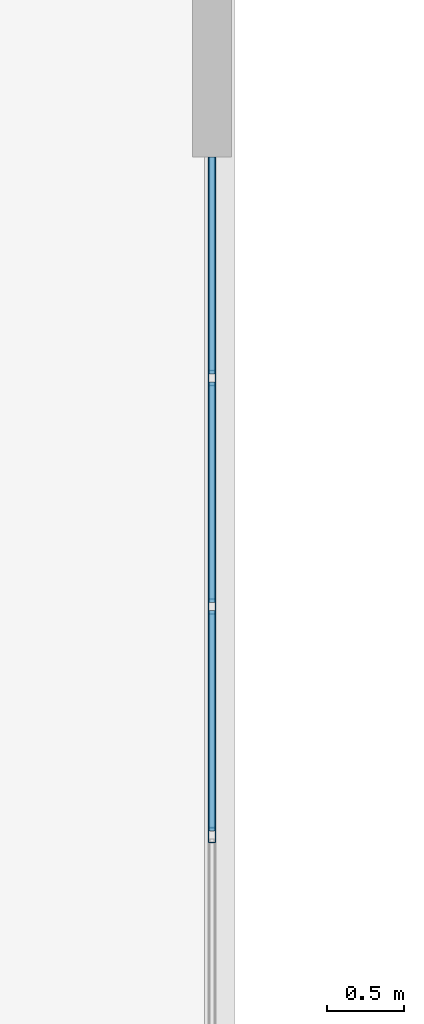
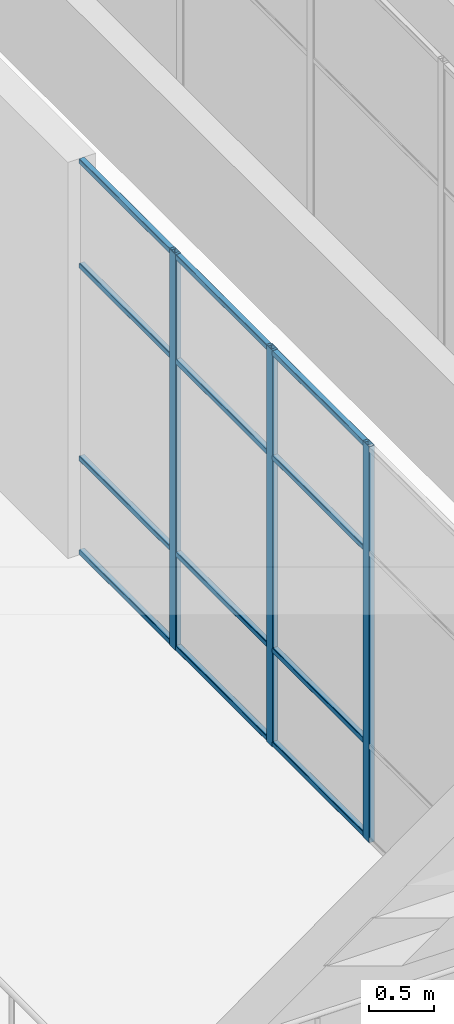
# One storey, part 21 of 72: 15 members, 1 element without a shape of its own.
"""IFC4 building model written with IfcOpenShell, lengths in metres."""

from ifc_helpers import new_model, si_unit, direction, frame, origin, origin_2d, place, context, subcontext, project, spatial, hollow_rectangle, extrude, material, layer, layer_set, material_profile, profile_set, type_object, element, aggregate, save


model = new_model("IFC4")

# Units and contexts
model_context = context("Model", 3, precision=1e-05, world=origin(), true_north=direction((0.0, 1.0)))
body_context = subcontext(model_context, "Body", "Model", "MODEL_VIEW")
ifc_project = project(units=[si_unit("LENGTHUNIT", "METRE"), si_unit("AREAUNIT", "SQUARE_METRE"), si_unit("VOLUMEUNIT", "CUBIC_METRE"), si_unit("PLANEANGLEUNIT", "RADIAN"), si_unit("MASSUNIT", "GRAM", prefix="KILO")], contexts=[model_context])

# Site, building, storey
site_placement = place(None, origin())
site = spatial("IfcSite", under=ifc_project, at=site_placement, CompositionType="ELEMENT")
building_placement = place(site_placement, origin())
building = spatial("IfcBuilding", under=site, at=building_placement, Name="Tuart Plaza Theatre", CompositionType="ELEMENT")
storey_placement = place(building_placement, frame((0.0, 0.0, 13.5)))
storey = spatial("IfcBuildingStorey", under=building, at=storey_placement, Name="L03", CompositionType="ELEMENT", Elevation=13.5)

# Curtain wall, members
ifc_material_1 = material(Name="Aluminium and glass", Category="aluminium")
ifc_layer = layer(ifc_material_1, 0.10009765625)
ifc_layer_set = layer_set([ifc_layer], Name="CURTAIN WALL 1500 module")
curtain_wall_type = type_object("IfcCurtainWallType", Name="CURTAIN WALL 1500 module", PredefinedType="NOTDEFINED", material=ifc_layer_set)
curtain_wall_placement = place(storey_placement, origin())
curtain_wall = element("IfcCurtainWall", 1, at=curtain_wall_placement, inside=storey, type_object=curtain_wall_type, Name="CW43", PredefinedType="NOTDEFINED")
ifc_material_2 = material(Name="Aluminium 6063-T5", Category="aluminium")
ifc_material_profile_1 = material_profile(ifc_material_2, hollow_rectangle(XDim=0.050048828125, YDim=0.10009765625, WallThickness=0.00390625, InnerFilletRadius=0.00390625, OuterFilletRadius=0.008056640625, at=origin_2d()), Name="RHS 100x50x4")
ifc_profile_set_1 = profile_set([ifc_material_profile_1], Name="Aluminium 6063-T5")
member_type_1 = type_object("IfcMemberType", Name="MULLION RHS 100x50x4", PredefinedType="MULLION", material=ifc_profile_set_1)
member_1_placement = place(storey_placement, frame((110.212890625, 54.9599609375, 0.0), z_axis=(0.0, 0.0, 1.0), x_axis=(-1.0, 0.0, 0.0)))
member_1 = element("IfcMember", 2, at=member_1_placement, type_object=member_type_1, Name="CW43 mullion 3", PredefinedType="MULLION", context=body_context, shape_type="SweptSolid", body=[
    extrude(hollow_rectangle(XDim=0.050048828125, YDim=0.10009765625, WallThickness=0.00390625, InnerFilletRadius=0.00390625, OuterFilletRadius=0.008056640625, at=origin_2d()), origin(), (0.0, 0.0, 1.0), 3.699951171875),
])
member_2_placement = place(storey_placement, frame((110.212890625, 56.43994140625, 0.0), z_axis=(0.0, 0.0, 1.0), x_axis=(-1.0, 0.0, 0.0)))
member_2 = element("IfcMember", 3, at=member_2_placement, type_object=member_type_1, Name="CW43 mullion 4", PredefinedType="MULLION", context=body_context, shape_type="SweptSolid", body=[
    extrude(hollow_rectangle(XDim=0.050048828125, YDim=0.10009765625, WallThickness=0.00390625, InnerFilletRadius=0.00390625, OuterFilletRadius=0.008056640625, at=origin_2d()), origin(), (0.0, 0.0, 1.0), 3.699951171875),
])
member_3_placement = place(storey_placement, frame((110.212890625, 57.919921875, 0.0), z_axis=(0.0, 0.0, 1.0), x_axis=(-1.0, 0.0, 0.0)))
member_3 = element("IfcMember", 4, at=member_3_placement, type_object=member_type_1, Name="CW43 mullion 5", PredefinedType="MULLION", context=body_context, shape_type="SweptSolid", body=[
    extrude(hollow_rectangle(XDim=0.050048828125, YDim=0.10009765625, WallThickness=0.00390625, InnerFilletRadius=0.00390625, OuterFilletRadius=0.008056640625, at=origin_2d()), origin(), (0.0, 0.0, 1.0), 3.699951171875),
])
ifc_material_3 = material(Name="Aluminium 6063-T5", Category="aluminium")
ifc_material_profile_2 = material_profile(ifc_material_3, hollow_rectangle(XDim=0.050048828125, YDim=0.050048828125, WallThickness=0.00390625, InnerFilletRadius=0.00390625, OuterFilletRadius=0.008056640625, at=origin_2d()), Name="RHS 50x50x4")
ifc_profile_set_2 = profile_set([ifc_material_profile_2], Name="Aluminium 6063-T5")
member_type_2 = type_object("IfcMemberType", Name="TRANSOM RHS 50x50x4", PredefinedType="USERDEFINED", material=ifc_profile_set_2)
member_4_placement = place(storey_placement, frame((110.212890625, 54.985107421875, 0.02490234375), z_axis=(0.0, 1.0, 0.0), x_axis=(-1.0, 0.0, 0.0)))
member_4 = element("IfcMember", 5, at=member_4_placement, type_object=member_type_2, Name="CW43 transom 3.1", ObjectType="TRANSOM", PredefinedType="USERDEFINED", context=body_context, shape_type="SweptSolid", body=[
    extrude(hollow_rectangle(XDim=0.050048828125, YDim=0.050048828125, WallThickness=0.00390625, InnerFilletRadius=0.00390625, OuterFilletRadius=0.008056640625, at=origin_2d()), origin(), (0.0, 0.0, 1.0), 1.429931640625),
])
member_5_placement = place(storey_placement, frame((110.212890625, 54.985107421875, 0.89990234375), z_axis=(0.0, 1.0, 0.0), x_axis=(-1.0, 0.0, 0.0)))
member_5 = element("IfcMember", 6, at=member_5_placement, type_object=member_type_2, Name="CW43 transom 3.2", ObjectType="TRANSOM", PredefinedType="USERDEFINED", context=body_context, shape_type="SweptSolid", body=[
    extrude(hollow_rectangle(XDim=0.050048828125, YDim=0.050048828125, WallThickness=0.00390625, InnerFilletRadius=0.00390625, OuterFilletRadius=0.008056640625, at=origin_2d()), origin(), (0.0, 0.0, 1.0), 1.429931640625),
])
member_6_placement = place(storey_placement, frame((110.212890625, 54.985107421875, 2.699951171875), z_axis=(0.0, 1.0, 0.0), x_axis=(-1.0, 0.0, 0.0)))
member_6 = element("IfcMember", 7, at=member_6_placement, type_object=member_type_2, Name="CW43 transom 3.3", ObjectType="TRANSOM", PredefinedType="USERDEFINED", context=body_context, shape_type="SweptSolid", body=[
    extrude(hollow_rectangle(XDim=0.050048828125, YDim=0.050048828125, WallThickness=0.00390625, InnerFilletRadius=0.00390625, OuterFilletRadius=0.008056640625, at=origin_2d()), origin(), (0.0, 0.0, 1.0), 1.429931640625),
])
member_7_placement = place(storey_placement, frame((110.212890625, 54.985107421875, 3.675048828125), z_axis=(0.0, 1.0, 0.0), x_axis=(-1.0, 0.0, 0.0)))
member_7 = element("IfcMember", 8, at=member_7_placement, type_object=member_type_2, Name="CW43 transom 3.4", ObjectType="TRANSOM", PredefinedType="USERDEFINED", context=body_context, shape_type="SweptSolid", body=[
    extrude(hollow_rectangle(XDim=0.050048828125, YDim=0.050048828125, WallThickness=0.00390625, InnerFilletRadius=0.00390625, OuterFilletRadius=0.008056640625, at=origin_2d()), origin(), (0.0, 0.0, 1.0), 1.429931640625),
])
member_8_placement = place(storey_placement, frame((110.212890625, 56.465087890625, 0.02490234375), z_axis=(0.0, 1.0, 0.0), x_axis=(-1.0, 0.0, 0.0)))
member_8 = element("IfcMember", 9, at=member_8_placement, type_object=member_type_2, Name="CW43 transom 4.1", ObjectType="TRANSOM", PredefinedType="USERDEFINED", context=body_context, shape_type="SweptSolid", body=[
    extrude(hollow_rectangle(XDim=0.050048828125, YDim=0.050048828125, WallThickness=0.00390625, InnerFilletRadius=0.00390625, OuterFilletRadius=0.008056640625, at=origin_2d()), origin(), (0.0, 0.0, 1.0), 1.429931640625),
])
member_9_placement = place(storey_placement, frame((110.212890625, 56.465087890625, 0.89990234375), z_axis=(0.0, 1.0, 0.0), x_axis=(-1.0, 0.0, 0.0)))
member_9 = element("IfcMember", 10, at=member_9_placement, type_object=member_type_2, Name="CW43 transom 4.2", ObjectType="TRANSOM", PredefinedType="USERDEFINED", context=body_context, shape_type="SweptSolid", body=[
    extrude(hollow_rectangle(XDim=0.050048828125, YDim=0.050048828125, WallThickness=0.00390625, InnerFilletRadius=0.00390625, OuterFilletRadius=0.008056640625, at=origin_2d()), origin(), (0.0, 0.0, 1.0), 1.429931640625),
])
member_10_placement = place(storey_placement, frame((110.212890625, 56.465087890625, 2.699951171875), z_axis=(0.0, 1.0, 0.0), x_axis=(-1.0, 0.0, 0.0)))
member_10 = element("IfcMember", 11, at=member_10_placement, type_object=member_type_2, Name="CW43 transom 4.3", ObjectType="TRANSOM", PredefinedType="USERDEFINED", context=body_context, shape_type="SweptSolid", body=[
    extrude(hollow_rectangle(XDim=0.050048828125, YDim=0.050048828125, WallThickness=0.00390625, InnerFilletRadius=0.00390625, OuterFilletRadius=0.008056640625, at=origin_2d()), origin(), (0.0, 0.0, 1.0), 1.429931640625),
])
member_11_placement = place(storey_placement, frame((110.212890625, 56.465087890625, 3.675048828125), z_axis=(0.0, 1.0, 0.0), x_axis=(-1.0, 0.0, 0.0)))
member_11 = element("IfcMember", 12, at=member_11_placement, type_object=member_type_2, Name="CW43 transom 4.4", ObjectType="TRANSOM", PredefinedType="USERDEFINED", context=body_context, shape_type="SweptSolid", body=[
    extrude(hollow_rectangle(XDim=0.050048828125, YDim=0.050048828125, WallThickness=0.00390625, InnerFilletRadius=0.00390625, OuterFilletRadius=0.008056640625, at=origin_2d()), origin(), (0.0, 0.0, 1.0), 1.429931640625),
])
member_12_placement = place(storey_placement, frame((110.212890625, 57.945068359375, 0.02490234375), z_axis=(0.0, 1.0, 0.0), x_axis=(-1.0, 0.0, 0.0)))
member_12 = element("IfcMember", 13, at=member_12_placement, type_object=member_type_2, Name="CW43 transom 5.1", ObjectType="TRANSOM", PredefinedType="USERDEFINED", context=body_context, shape_type="SweptSolid", body=[
    extrude(hollow_rectangle(XDim=0.050048828125, YDim=0.050048828125, WallThickness=0.00390625, InnerFilletRadius=0.00390625, OuterFilletRadius=0.008056640625, at=origin_2d()), origin(), (0.0, 0.0, 1.0), 1.405029296875),
])
member_13_placement = place(storey_placement, frame((110.212890625, 57.945068359375, 0.89990234375), z_axis=(0.0, 1.0, 0.0), x_axis=(-1.0, 0.0, 0.0)))
member_13 = element("IfcMember", 14, at=member_13_placement, type_object=member_type_2, Name="CW43 transom 5.2", ObjectType="TRANSOM", PredefinedType="USERDEFINED", context=body_context, shape_type="SweptSolid", body=[
    extrude(hollow_rectangle(XDim=0.050048828125, YDim=0.050048828125, WallThickness=0.00390625, InnerFilletRadius=0.00390625, OuterFilletRadius=0.008056640625, at=origin_2d()), origin(), (0.0, 0.0, 1.0), 1.405029296875),
])
member_14_placement = place(storey_placement, frame((110.212890625, 57.945068359375, 2.699951171875), z_axis=(0.0, 1.0, 0.0), x_axis=(-1.0, 0.0, 0.0)))
member_14 = element("IfcMember", 15, at=member_14_placement, type_object=member_type_2, Name="CW43 transom 5.3", ObjectType="TRANSOM", PredefinedType="USERDEFINED", context=body_context, shape_type="SweptSolid", body=[
    extrude(hollow_rectangle(XDim=0.050048828125, YDim=0.050048828125, WallThickness=0.00390625, InnerFilletRadius=0.00390625, OuterFilletRadius=0.008056640625, at=origin_2d()), origin(), (0.0, 0.0, 1.0), 1.405029296875),
])
member_15_placement = place(storey_placement, frame((110.212890625, 57.945068359375, 3.675048828125), z_axis=(0.0, 1.0, 0.0), x_axis=(-1.0, 0.0, 0.0)))
member_15 = element("IfcMember", 16, at=member_15_placement, type_object=member_type_2, Name="CW43 transom 5.4", ObjectType="TRANSOM", PredefinedType="USERDEFINED", context=body_context, shape_type="SweptSolid", body=[
    extrude(hollow_rectangle(XDim=0.050048828125, YDim=0.050048828125, WallThickness=0.00390625, InnerFilletRadius=0.00390625, OuterFilletRadius=0.008056640625, at=origin_2d()), origin(), (0.0, 0.0, 1.0), 1.405029296875),
])
aggregate(curtain_wall, [member_1, member_2, member_3, member_4, member_5, member_6, member_7, member_8, member_9, member_10, member_11, member_12, member_13, member_14, member_15])

save(model, "model.ifc")
